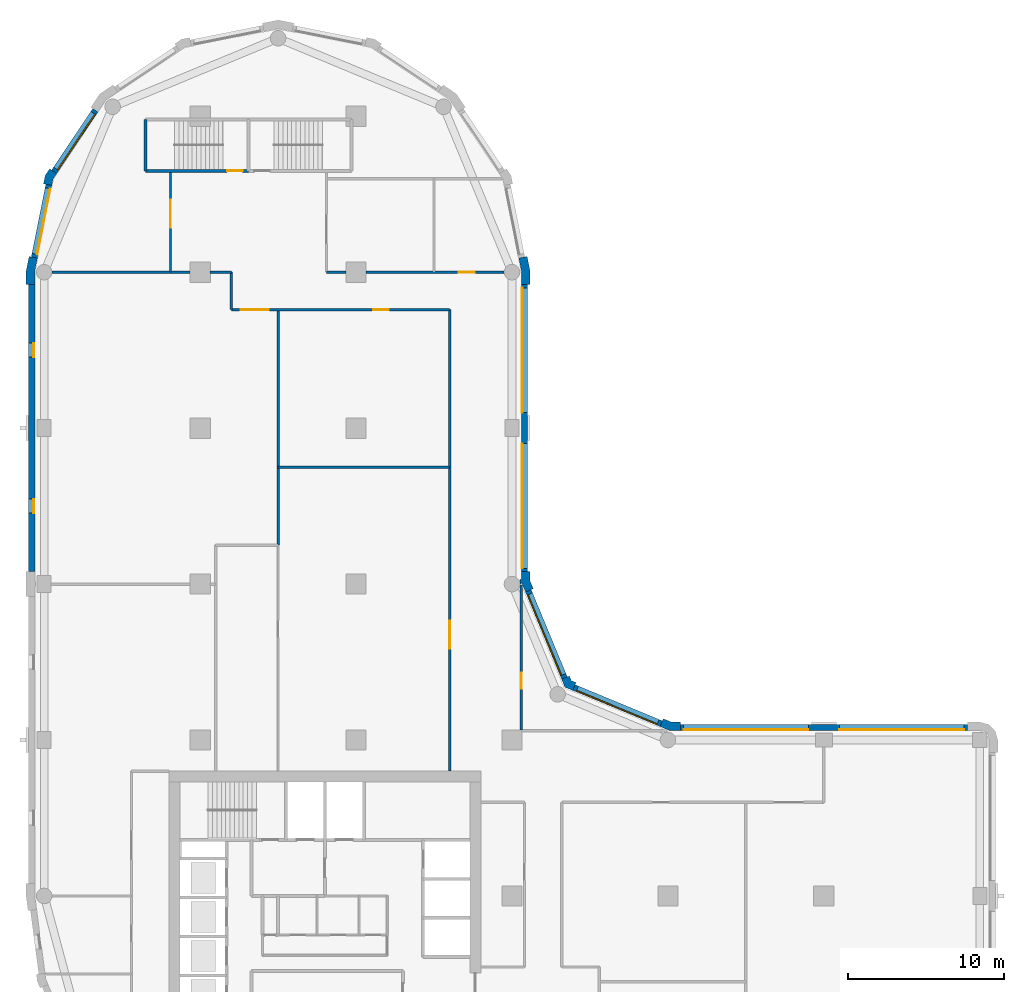
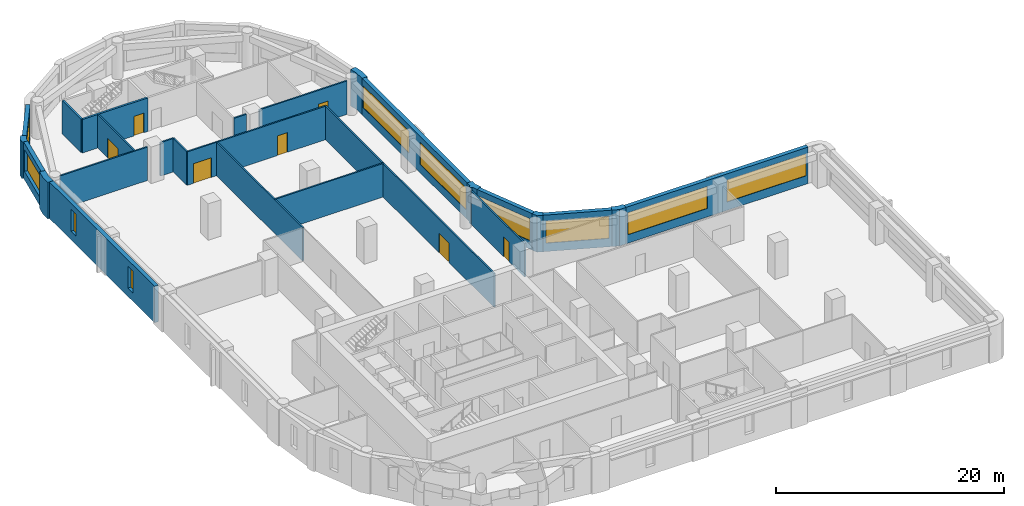
# One storey, part 5 of 9: 26 walls, 10 windows, 7 doors, 17 openings.
"""IFC4 building model written with IfcOpenShell, lengths in metres."""

from ifc_helpers import new_model, si_unit, direction, frame, frame_2d, origin, place, context, subcontext, project, spatial, polyline, rectangle, outline, extrude, material, layer, layer_set, type_object, element, fill, save


model = new_model("IFC4")

# Units and contexts
model_context = context("Model", 3, precision=1e-05, world=origin(), true_north=direction((0.0, 1.0)))
body_context = subcontext(model_context, "Body", "Model", "MODEL_VIEW")
ifc_project = project(units=[si_unit("LENGTHUNIT", "METRE"), si_unit("AREAUNIT", "SQUARE_METRE"), si_unit("VOLUMEUNIT", "CUBIC_METRE"), si_unit("PLANEANGLEUNIT", "RADIAN"), si_unit("MASSUNIT", "GRAM", prefix="KILO")], contexts=[model_context])

# Site, building, storey
site_placement = place(None, origin())
site = spatial("IfcSite", under=ifc_project, at=site_placement, CompositionType="ELEMENT")
building_placement = place(site_placement, origin())
building = spatial("IfcBuilding", under=site, at=building_placement, Name="Qaws Garden Tower", CompositionType="ELEMENT")
storey_placement = place(building_placement, frame((0.0, 0.0, 139.5)))
storey = spatial("IfcBuildingStorey", under=building, at=storey_placement, Name="L33", CompositionType="ELEMENT", Elevation=139.5)

# Wall, openings, windows
ifc_material_1 = material(Name="Clay facing brick masonry", Category="masonry")
ifc_layer_1 = layer(ifc_material_1, 0.39990234375)
ifc_layer_set_1 = layer_set([ifc_layer_1], Name="Clay facing brick masonry")
wall_type_1 = type_object("IfcWallType", Name="Brick infill wall 400", PredefinedType="SOLIDWALL", material=ifc_layer_set_1)
wall_1_placement = place(storey_placement, frame((59.199951171875, 30.800048828125, 0.0), z_axis=(0.0, 0.0, 1.0), x_axis=(-1.0, 0.0, 0.0)))
wall_1 = element("IfcWall", 1, at=wall_1_placement, inside=storey, type_object=wall_type_1, Name="E-L33-infill-07", PredefinedType="SOLIDWALL", context=body_context, shape_type="SweptSolid", body=[
    extrude(rectangle(XDim=18.39990234375, YDim=0.39990234375, at=frame_2d((9.199951171875, 0.0))), origin(), (0.0, 0.0, 1.0), 3.89990234375),
])
opening_1_placement = place(wall_1_placement, frame((0.199951171875, 0.0, 0.89990234375)))
opening_1 = element("IfcOpeningElement", 2, at=opening_1_placement, cuts=wall_1, Name="Opening W01", PredefinedType="OPENING", context=body_context, shape_type="SweptSolid", body=[
    extrude(rectangle(XDim=8.0, YDim=2.35009765625, at=frame_2d((4.0, 1.175048828125))), frame((0.0, 0.2099609375, 0.0), z_axis=(0.0, -1.0, 0.0), x_axis=(1.0, 0.0, 0.0)), (0.0, 0.0, 1.0), 0.419921875),
])
opening_2_placement = place(wall_1_placement, frame((10.199951171875, 0.0, 0.89990234375)))
opening_2 = element("IfcOpeningElement", 3, at=opening_2_placement, cuts=wall_1, Name="Opening W01", PredefinedType="OPENING", context=body_context, shape_type="SweptSolid", body=[
    extrude(rectangle(XDim=8.0, YDim=2.35009765625, at=frame_2d((4.0, 1.175048828125))), frame((0.0, 0.2099609375, 0.0), z_axis=(0.0, -1.0, 0.0), x_axis=(1.0, 0.0, 0.0)), (0.0, 0.0, 1.0), 0.419921875),
])
ifc_material_2 = material(Name="Aluminium framed window, clear glazing", Category="aluminium")
window_type_1 = type_object("IfcWindowType", Name="Ribbon window 8000 x 2350", PartitioningType="DOUBLE_PANEL_VERTICAL", PredefinedType="WINDOW", material=ifc_material_2)
window_1_placement = place(opening_1_placement, origin())
window_1 = element("IfcWindow", 4, at=window_1_placement, inside=storey, type_object=window_type_1, Name="E-L33-window-07-0", OverallHeight=2.35009765625, OverallWidth=8.0, PartitioningType="SINGLE_PANEL", PredefinedType="WINDOW", context=body_context, shape_type="SweptSolid", body=[
    extrude(rectangle(XDim=8.0, YDim=2.35009765625, at=frame_2d((4.0, 1.175048828125))), frame((0.0, 0.159912109375, 0.0), z_axis=(0.0, -1.0, 0.0), x_axis=(1.0, 0.0, 0.0)), (0.0, 0.0, 1.0), 0.06005859375),
])
fill(opening_1, window_1)
window_2_placement = place(opening_2_placement, origin())
window_2 = element("IfcWindow", 5, at=window_2_placement, inside=storey, type_object=window_type_1, Name="E-L33-window-08-0", OverallHeight=2.35009765625, OverallWidth=8.0, PartitioningType="SINGLE_PANEL", PredefinedType="WINDOW", context=body_context, shape_type="SweptSolid", body=[
    extrude(rectangle(XDim=8.0, YDim=2.35009765625, at=frame_2d((4.0, 1.175048828125))), frame((0.0, 0.159912109375, 0.0), z_axis=(0.0, -1.0, 0.0), x_axis=(1.0, 0.0, 0.0)), (0.0, 0.0, 1.0), 0.06005859375),
])
fill(opening_2, window_2)

# Wall, opening, window
wall_2_placement = place(storey_placement, frame((39.56689453125, 31.04541015625, 0.0), z_axis=(0.0, 0.0, 1.0), x_axis=(-0.923891000409, 0.382655745237, 0.0)))
wall_2 = element("IfcWall", 6, at=wall_2_placement, inside=storey, type_object=wall_type_1, Name="E-L33-infill-09", PredefinedType="SOLIDWALL", context=body_context, shape_type="SweptSolid", body=[
    extrude(rectangle(XDim=6.053466796875, YDim=0.39990234375, at=frame_2d((3.02685546875, 0.0))), origin(), (0.0, 0.0, 1.0), 3.89990234375),
])
opening_3_placement = place(wall_2_placement, frame((0.226806640625, 0.0, 0.89990234375)))
opening_3 = element("IfcOpeningElement", 7, at=opening_3_placement, cuts=wall_2, Name="Opening W04", PredefinedType="OPENING", context=body_context, shape_type="SweptSolid", body=[
    extrude(rectangle(XDim=5.60009765625, YDim=2.35009765625, at=frame_2d((2.800048828125, 1.175048828125))), frame((0.0, 0.2099609375, 0.0), z_axis=(0.0, -1.0, 0.0), x_axis=(1.0, 0.0, 0.0)), (0.0, 0.0, 1.0), 0.419921875),
])
ifc_material_3 = material(Name="Aluminium framed window, clear glazing", Category="aluminium")
window_type_2 = type_object("IfcWindowType", Name="Ribbon window 5600 x 2350", PartitioningType="DOUBLE_PANEL_VERTICAL", PredefinedType="WINDOW", material=ifc_material_3)
window_3_placement = place(opening_3_placement, origin())
window_3 = element("IfcWindow", 8, at=window_3_placement, inside=storey, type_object=window_type_2, Name="E-L33-window-09-0", OverallHeight=2.35009765625, OverallWidth=5.60009765625, PartitioningType="SINGLE_PANEL", PredefinedType="WINDOW", context=body_context, shape_type="SweptSolid", body=[
    extrude(rectangle(XDim=5.60009765625, YDim=2.35009765625, at=frame_2d((2.800048828125, 1.175048828125))), frame((0.0, 0.159912109375, 0.0), z_axis=(0.0, -1.0, 0.0), x_axis=(1.0, 0.0, 0.0)), (0.0, 0.0, 1.0), 0.06005859375),
])
fill(opening_3, window_3)

wall_3_placement = place(storey_placement, frame((33.36181640625, 33.97412109375, 0.0), z_axis=(0.0, 0.0, 1.0), x_axis=(-0.382655745237, 0.923891000409, 0.0)))
wall_3 = element("IfcWall", 9, at=wall_3_placement, inside=storey, type_object=wall_type_1, Name="E-L33-infill-10", PredefinedType="SOLIDWALL", context=body_context, shape_type="SweptSolid", body=[
    extrude(rectangle(XDim=6.053466796875, YDim=0.39990234375, at=frame_2d((3.02685546875, 0.0))), origin(), (0.0, 0.0, 1.0), 3.89990234375),
])
opening_4_placement = place(wall_3_placement, frame((0.226806640625, 0.0, 0.89990234375)))
opening_4 = element("IfcOpeningElement", 10, at=opening_4_placement, cuts=wall_3, Name="Opening W04", PredefinedType="OPENING", context=body_context, shape_type="SweptSolid", body=[
    extrude(rectangle(XDim=5.60009765625, YDim=2.35009765625, at=frame_2d((2.800048828125, 1.175048828125))), frame((0.0, 0.2099609375, 0.0), z_axis=(0.0, -1.0, 0.0), x_axis=(1.0, 0.0, 0.0)), (0.0, 0.0, 1.0), 0.419921875),
])
window_4_placement = place(opening_4_placement, origin())
window_4 = element("IfcWindow", 11, at=window_4_placement, inside=storey, type_object=window_type_2, Name="E-L33-window-10-0", OverallHeight=2.35009765625, OverallWidth=5.60009765625, PartitioningType="SINGLE_PANEL", PredefinedType="WINDOW", context=body_context, shape_type="SweptSolid", body=[
    extrude(rectangle(XDim=5.60009765625, YDim=2.35009765625, at=frame_2d((2.800048828125, 1.175048828125))), frame((0.0, 0.159912109375, 0.0), z_axis=(0.0, -1.0, 0.0), x_axis=(1.0, 0.0, 0.0)), (0.0, 0.0, 1.0), 0.06005859375),
])
fill(opening_4, window_4)

# Wall, openings, windows
wall_4_placement = place(storey_placement, frame((30.800048828125, 40.800048828125, 0.0), z_axis=(0.0, 0.0, 1.0), x_axis=(0.0, 1.0, 0.0)))
wall_4 = element("IfcWall", 12, at=wall_4_placement, inside=storey, type_object=wall_type_1, Name="E-L33-infill-11", PredefinedType="SOLIDWALL", context=body_context, shape_type="SweptSolid", body=[
    extrude(rectangle(XDim=18.39990234375, YDim=0.39990234375, at=frame_2d((9.199951171875, 0.0))), origin(), (0.0, 0.0, 1.0), 3.89990234375),
])
opening_5_placement = place(wall_4_placement, frame((0.199951171875, 0.0, 0.89990234375)))
opening_5 = element("IfcOpeningElement", 13, at=opening_5_placement, cuts=wall_4, Name="Opening W01", PredefinedType="OPENING", context=body_context, shape_type="SweptSolid", body=[
    extrude(rectangle(XDim=8.0, YDim=2.35009765625, at=frame_2d((4.0, 1.175048828125))), frame((0.0, 0.2099609375, 0.0), z_axis=(0.0, -1.0, 0.0), x_axis=(1.0, 0.0, 0.0)), (0.0, 0.0, 1.0), 0.419921875),
])
opening_6_placement = place(wall_4_placement, frame((10.199951171875, 0.0, 0.89990234375)))
opening_6 = element("IfcOpeningElement", 14, at=opening_6_placement, cuts=wall_4, Name="Opening W01", PredefinedType="OPENING", context=body_context, shape_type="SweptSolid", body=[
    extrude(rectangle(XDim=8.0, YDim=2.35009765625, at=frame_2d((4.0, 1.175048828125))), frame((0.0, 0.2099609375, 0.0), z_axis=(0.0, -1.0, 0.0), x_axis=(1.0, 0.0, 0.0)), (0.0, 0.0, 1.0), 0.419921875),
])
window_5_placement = place(opening_5_placement, origin())
window_5 = element("IfcWindow", 15, at=window_5_placement, inside=storey, type_object=window_type_1, Name="E-L33-window-11-0", OverallHeight=2.35009765625, OverallWidth=8.0, PartitioningType="SINGLE_PANEL", PredefinedType="WINDOW", context=body_context, shape_type="SweptSolid", body=[
    extrude(rectangle(XDim=8.0, YDim=2.35009765625, at=frame_2d((4.0, 1.175048828125))), frame((0.0, 0.159912109375, 0.0), z_axis=(0.0, -1.0, 0.0), x_axis=(1.0, 0.0, 0.0)), (0.0, 0.0, 1.0), 0.06005859375),
])
fill(opening_5, window_5)
window_6_placement = place(opening_6_placement, origin())
window_6 = element("IfcWindow", 16, at=window_6_placement, inside=storey, type_object=window_type_1, Name="E-L33-window-12-0", OverallHeight=2.35009765625, OverallWidth=8.0, PartitioningType="SINGLE_PANEL", PredefinedType="WINDOW", context=body_context, shape_type="SweptSolid", body=[
    extrude(rectangle(XDim=8.0, YDim=2.35009765625, at=frame_2d((4.0, 1.175048828125))), frame((0.0, 0.159912109375, 0.0), z_axis=(0.0, -1.0, 0.0), x_axis=(1.0, 0.0, 0.0)), (0.0, 0.0, 1.0), 0.06005859375),
])
fill(opening_6, window_6)

# Wall, opening, window
wall_5_placement = place(storey_placement, frame((3.28369140625, 70.385986328125, 0.0), z_axis=(0.0, 0.0, 1.0), x_axis=(-0.555541552266, -0.831488775454, 0.0)))
wall_5 = element("IfcWall", 17, at=wall_5_placement, inside=storey, type_object=wall_type_1, Name="E-L33-infill-19", PredefinedType="SOLIDWALL", context=body_context, shape_type="SweptSolid", body=[
    extrude(rectangle(XDim=4.752685546875, YDim=0.39990234375, at=frame_2d((2.37646484375, 0.0))), origin(), (0.0, 0.0, 1.0), 3.89990234375),
])
opening_7_placement = place(wall_5_placement, frame((0.226318359375, 0.0, 0.89990234375)))
opening_7 = element("IfcOpeningElement", 18, at=opening_7_placement, cuts=wall_5, Name="Opening W06", PredefinedType="OPENING", context=body_context, shape_type="SweptSolid", body=[
    extrude(rectangle(XDim=4.300048828125, YDim=2.35009765625, at=frame_2d((2.14990234375, 1.175048828125))), frame((0.0, 0.2099609375, 0.0), z_axis=(0.0, -1.0, 0.0), x_axis=(1.0, 0.0, 0.0)), (0.0, 0.0, 1.0), 0.419921875),
])
ifc_material_4 = material(Name="Aluminium framed window, clear glazing", Category="aluminium")
window_type_3 = type_object("IfcWindowType", Name="Ribbon window 4300 x 2350", PartitioningType="DOUBLE_PANEL_VERTICAL", PredefinedType="WINDOW", material=ifc_material_4)
window_7_placement = place(opening_7_placement, origin())
window_7 = element("IfcWindow", 19, at=window_7_placement, inside=storey, type_object=window_type_3, Name="E-L33-window-19-0", OverallHeight=2.35009765625, OverallWidth=4.300048828125, PartitioningType="SINGLE_PANEL", PredefinedType="WINDOW", context=body_context, shape_type="SweptSolid", body=[
    extrude(rectangle(XDim=4.300048828125, YDim=2.35009765625, at=frame_2d((2.14990234375, 1.175048828125))), frame((0.0, 0.159912109375, 0.0), z_axis=(0.0, -1.0, 0.0), x_axis=(1.0, 0.0, 0.0)), (0.0, 0.0, 1.0), 0.06005859375),
])
fill(opening_7, window_7)

wall_6_placement = place(storey_placement, frame((0.298583984375, 65.60205078125, 0.0), z_axis=(0.0, 0.0, 1.0), x_axis=(-0.195098533057, -0.98078364709, 0.0)))
wall_6 = element("IfcWall", 20, at=wall_6_placement, inside=storey, type_object=wall_type_1, Name="E-L33-infill-20", PredefinedType="SOLIDWALL", context=body_context, shape_type="SweptSolid", body=[
    extrude(rectangle(XDim=4.752685546875, YDim=0.39990234375, at=frame_2d((2.37646484375, 0.0))), origin(), (0.0, 0.0, 1.0), 3.89990234375),
])
opening_8_placement = place(wall_6_placement, frame((0.226318359375, 0.0, 0.89990234375)))
opening_8 = element("IfcOpeningElement", 21, at=opening_8_placement, cuts=wall_6, Name="Opening W06", PredefinedType="OPENING", context=body_context, shape_type="SweptSolid", body=[
    extrude(rectangle(XDim=4.300048828125, YDim=2.35009765625, at=frame_2d((2.14990234375, 1.175048828125))), frame((0.0, 0.2099609375, 0.0), z_axis=(0.0, -1.0, 0.0), x_axis=(1.0, 0.0, 0.0)), (0.0, 0.0, 1.0), 0.419921875),
])
window_8_placement = place(opening_8_placement, origin())
window_8 = element("IfcWindow", 22, at=window_8_placement, inside=storey, type_object=window_type_3, Name="E-L33-window-20-0", OverallHeight=2.35009765625, OverallWidth=4.300048828125, PartitioningType="SINGLE_PANEL", PredefinedType="WINDOW", context=body_context, shape_type="SweptSolid", body=[
    extrude(rectangle(XDim=4.300048828125, YDim=2.35009765625, at=frame_2d((2.14990234375, 1.175048828125))), frame((0.0, 0.159912109375, 0.0), z_axis=(0.0, -1.0, 0.0), x_axis=(1.0, 0.0, 0.0)), (0.0, 0.0, 1.0), 0.06005859375),
])
fill(opening_8, window_8)

# Wall, openings, windows
wall_7_placement = place(storey_placement, frame((-0.800048828125, 59.199951171875, 0.0), z_axis=(0.0, 0.0, 1.0), x_axis=(0.0, -1.0, 0.0)))
wall_7 = element("IfcWall", 23, at=wall_7_placement, inside=storey, type_object=wall_type_1, Name="E-L33-infill-21", PredefinedType="SOLIDWALL", context=body_context, shape_type="SweptSolid", body=[
    extrude(rectangle(XDim=18.39990234375, YDim=0.39990234375, at=frame_2d((9.199951171875, 0.0))), origin(), (0.0, 0.0, 1.0), 3.89990234375),
])
opening_9_placement = place(wall_7_placement, frame((3.75, 0.0, 0.89990234375)))
opening_9 = element("IfcOpeningElement", 24, at=opening_9_placement, cuts=wall_7, Name="Opening W09", PredefinedType="OPENING", context=body_context, shape_type="SweptSolid", body=[
    extrude(rectangle(XDim=0.89990234375, YDim=2.35009765625, at=frame_2d((0.449951171875, 1.175048828125))), frame((0.0, 0.2099609375, 0.0), z_axis=(0.0, -1.0, 0.0), x_axis=(1.0, 0.0, 0.0)), (0.0, 0.0, 1.0), 0.419921875),
])
opening_10_placement = place(wall_7_placement, frame((13.75, 0.0, 0.89990234375)))
opening_10 = element("IfcOpeningElement", 25, at=opening_10_placement, cuts=wall_7, Name="Opening W09", PredefinedType="OPENING", context=body_context, shape_type="SweptSolid", body=[
    extrude(rectangle(XDim=0.89990234375, YDim=2.35009765625, at=frame_2d((0.449951171875, 1.175048828125))), frame((0.0, 0.2099609375, 0.0), z_axis=(0.0, -1.0, 0.0), x_axis=(1.0, 0.0, 0.0)), (0.0, 0.0, 1.0), 0.419921875),
])
ifc_material_5 = material(Name="Aluminium framed window, clear glazing", Category="aluminium")
window_type_4 = type_object("IfcWindowType", Name="Slit window 900 x 2350", PartitioningType="SINGLE_PANEL", PredefinedType="WINDOW", material=ifc_material_5)
window_9_placement = place(opening_9_placement, origin())
window_9 = element("IfcWindow", 26, at=window_9_placement, inside=storey, type_object=window_type_4, Name="E-L33-window-21-0", OverallHeight=2.35009765625, OverallWidth=0.89990234375, PartitioningType="SINGLE_PANEL", PredefinedType="WINDOW", context=body_context, shape_type="SweptSolid", body=[
    extrude(rectangle(XDim=0.89990234375, YDim=2.35009765625, at=frame_2d((0.449951171875, 1.175048828125))), frame((0.0, 0.159912109375, 0.0), z_axis=(0.0, -1.0, 0.0), x_axis=(1.0, 0.0, 0.0)), (0.0, 0.0, 1.0), 0.06005859375),
])
fill(opening_9, window_9)
window_10_placement = place(opening_10_placement, origin())
window_10 = element("IfcWindow", 27, at=window_10_placement, inside=storey, type_object=window_type_4, Name="E-L33-window-22-0", OverallHeight=2.35009765625, OverallWidth=0.89990234375, PartitioningType="SINGLE_PANEL", PredefinedType="WINDOW", context=body_context, shape_type="SweptSolid", body=[
    extrude(rectangle(XDim=0.89990234375, YDim=2.35009765625, at=frame_2d((0.449951171875, 1.175048828125))), frame((0.0, 0.159912109375, 0.0), z_axis=(0.0, -1.0, 0.0), x_axis=(1.0, 0.0, 0.0)), (0.0, 0.0, 1.0), 0.06005859375),
])
fill(opening_10, window_10)

# Walls
ifc_material_6 = material(Name="Clay facing brick masonry", Category="masonry")
ifc_layer_2 = layer(ifc_material_6, 0.550048828125)
ifc_layer_set_2 = layer_set([ifc_layer_2], Name="Clay facing brick masonry")
wall_type_2 = type_object("IfcWallType", Name="Brick kink pier 550 x 600", PredefinedType="SOLIDWALL", material=ifc_layer_set_2)
placement = place(storey_placement, origin())
element("IfcWall", 28, at=placement, inside=storey, type_object=wall_type_2, Name="E-L33-pier-20", PredefinedType="SOLIDWALL", context=body_context, shape_type="SweptSolid", body=[
    extrude(outline(polyline([(0.47705078125, 66.545166015625), (0.352294921875, 66.628662109375), (0.05859375, 66.18896484375), (-0.044677734375, 65.67041015625), (0.1025390625, 65.64111328125), (0.494873046875, 65.56298828125), (0.57666015625, 65.974365234375), (0.8095703125, 66.322998046875), (0.47705078125, 66.545166015625)])), origin(), (0.0, 0.0, 1.0), 3.89990234375),
])
ifc_material_7 = material(Name="Clay facing brick masonry", Category="masonry")
ifc_layer_3 = layer(ifc_material_7, 0.550048828125)
ifc_layer_set_3 = layer_set([ifc_layer_3], Name="Clay facing brick masonry")
wall_type_3 = type_object("IfcWallType", Name="Brick pier 550 x 1600", PredefinedType="SOLIDWALL", material=ifc_layer_set_3)
element("IfcWall", 29, at=placement, inside=storey, type_object=wall_type_3, Name="E-L33-pier-09", PredefinedType="SOLIDWALL", context=body_context, shape_type="SweptSolid", body=[
    extrude(outline(polyline([(40.800048828125, 31.0), (40.800048828125, 31.14990234375), (40.228759765625, 31.14990234375), (39.700927734375, 31.36865234375), (39.6435546875, 31.22998046875), (39.490478515625, 30.860595703125), (40.119384765625, 30.60009765625), (40.800048828125, 30.60009765625), (40.800048828125, 31.0)])), origin(), (0.0, 0.0, 1.0), 3.89990234375),
])
element("IfcWall", 30, at=placement, inside=storey, type_object=wall_type_3, Name="E-L33-pier-10", PredefinedType="SOLIDWALL", context=body_context, shape_type="SweptSolid", body=[
    extrude(outline(polyline([(34.05078125, 33.546630859375), (34.108154296875, 33.685302734375), (33.80908203125, 33.80908203125), (33.685302734375, 34.108154296875), (33.546630859375, 34.05078125), (33.177001953125, 33.897705078125), (33.38818359375, 33.38818359375), (33.897705078125, 33.177001953125), (34.05078125, 33.546630859375)])), origin(), (0.0, 0.0, 1.0), 3.89990234375),
])
element("IfcWall", 31, at=placement, inside=storey, type_object=wall_type_3, Name="E-L33-pier-11", PredefinedType="SOLIDWALL", context=body_context, shape_type="SweptSolid", body=[
    extrude(outline(polyline([(30.6201171875, 39.995361328125), (30.6201171875, 40.071044921875), (30.860595703125, 39.490478515625), (31.22998046875, 39.6435546875), (31.36865234375, 39.700927734375), (31.14990234375, 40.228759765625), (31.14990234375, 40.800048828125), (31.0, 40.800048828125), (30.60009765625, 40.800048828125), (30.60009765625, 40.29541015625), (30.5, 40.29541015625), (30.5, 39.995361328125), (30.6201171875, 39.995361328125)])), origin(), (0.0, 0.0, 1.0), 3.89990234375),
])
element("IfcWall", 32, at=placement, inside=storey, type_object=wall_type_3, Name="E-L33-pier-13", PredefinedType="SOLIDWALL", context=body_context, shape_type="SweptSolid", body=[
    extrude(outline(polyline([(31.0, 59.199951171875), (31.14990234375, 59.199951171875), (31.14990234375, 60.11328125), (30.971923828125, 61.009033203125), (30.82470703125, 60.979736328125), (30.432373046875, 60.901611328125), (30.60009765625, 60.05908203125), (30.60009765625, 59.199951171875), (31.0, 59.199951171875)])), origin(), (0.0, 0.0, 1.0), 3.89990234375),
])
element("IfcWall", 33, at=placement, inside=storey, type_object=wall_type_3, Name="E-L33-pier-21", PredefinedType="SOLIDWALL", context=body_context, shape_type="SweptSolid", body=[
    extrude(outline(polyline([(-0.82470703125, 60.979736328125), (-0.971923828125, 61.009033203125), (-1.14990234375, 60.11328125), (-1.14990234375, 59.199951171875), (-1.0, 59.199951171875), (-0.60009765625, 59.199951171875), (-0.60009765625, 60.05908203125), (-0.432373046875, 60.901611328125), (-0.82470703125, 60.979736328125)])), origin(), (0.0, 0.0, 1.0), 3.89990234375),
])

# Wall, opening, door
ifc_material_8 = material(Name="Concrete C70", Category="concrete")
ifc_layer_4 = layer(ifc_material_8, 0.199951171875)
ifc_layer_set_4 = layer_set([ifc_layer_4], Name="Concrete C70")
wall_type_4 = type_object("IfcWallType", Name="Core shaft wall 200 C70", PredefinedType="SHEAR", material=ifc_layer_set_4)
wall_14_placement = place(storey_placement, frame((6.5, 66.5, 0.0), z_axis=(0.0, 0.0, 1.0), x_axis=(1.0, 0.0, 0.0)))
wall_14 = element("IfcWall", 34, at=wall_14_placement, inside=storey, type_object=wall_type_4, Name="Shaft wall", PredefinedType="SHEAR", context=body_context, shape_type="SweptSolid", body=[
    extrude(rectangle(XDim=6.60009765625, YDim=0.199951171875, at=frame_2d((3.300048828125, 0.0))), origin(), (0.0, 0.0, 1.0), 3.580078125),
])
opening_11_placement = place(wall_14_placement, frame((5.22509765625, 0.0, 0.0)))
opening_11 = element("IfcOpeningElement", 35, at=opening_11_placement, cuts=wall_14, Name="Opening SD13", PredefinedType="OPENING", context=body_context, shape_type="SweptSolid", body=[
    extrude(rectangle(XDim=1.0, YDim=2.10009765625, at=frame_2d((0.5, 1.050048828125))), frame((0.0, 0.10986328125, 0.0), z_axis=(0.0, -1.0, 0.0), x_axis=(1.0, 0.0, 0.0)), (0.0, 0.0, 1.0), 0.219970703125),
])
ifc_material_9 = material(Name="Steel S235", Category="steel")
door_type_1 = type_object("IfcDoorType", Name="Stair door 1000x2100", OperationType="SINGLE_SWING_RIGHT", PredefinedType="DOOR", material=ifc_material_9)
door_1_placement = place(opening_11_placement, origin())
door_1 = element("IfcDoor", 36, at=door_1_placement, inside=storey, type_object=door_type_1, Name="Stair 6 door", OperationType="SINGLE_SWING_RIGHT", OverallHeight=2.10009765625, OverallWidth=1.0, PredefinedType="DOOR", context=body_context, shape_type="SweptSolid", body=[
    extrude(rectangle(XDim=1.0, YDim=2.10009765625, at=frame_2d((0.5, 1.050048828125))), frame((0.0, 0.02490234375, 0.0), z_axis=(0.0, -1.0, 0.0), x_axis=(1.0, 0.0, 0.0)), (0.0, 0.0, 1.0), 0.050048828125),
])
fill(opening_11, door_1)

# Wall
wall_15_placement = place(storey_placement, frame((6.5, 66.5, 0.0), z_axis=(0.0, 0.0, 1.0), x_axis=(0.0, 1.0, 0.0)))
element("IfcWall", 37, at=wall_15_placement, inside=storey, type_object=wall_type_4, Name="Shaft wall", PredefinedType="SHEAR", context=body_context, shape_type="SweptSolid", body=[
    extrude(rectangle(XDim=3.300048828125, YDim=0.199951171875, at=frame_2d((1.64990234375, 0.0))), origin(), (0.0, 0.0, 1.0), 3.580078125),
])

# Wall, opening, door
ifc_material_10 = material(Name="Gypsum board partition")
ifc_layer_5 = layer(ifc_material_10, 0.14990234375)
ifc_layer_set_5 = layer_set([ifc_layer_5], Name="Gypsum board partition")
wall_type_5 = type_object("IfcWallType", Name="PARTITION 150 EI 60", PredefinedType="PARTITIONING", material=ifc_layer_set_5)
wall_16_placement = place(storey_placement, frame((8.10009765625, 60.0, 0.0), z_axis=(0.0, 0.0, 1.0), x_axis=(0.0, 1.0, 0.0)))
wall_16 = element("IfcWall", 38, at=wall_16_placement, inside=storey, type_object=wall_type_5, Name="O-L33-wall-005", PredefinedType="PARTITIONING", context=body_context, shape_type="SweptSolid", body=[
    extrude(rectangle(XDim=6.39990234375, YDim=0.14990234375, at=frame_2d((3.199951171875, 0.0))), origin(), (0.0, 0.0, 1.0), 3.580078125),
])
opening_12_placement = place(wall_16_placement, frame((2.85009765625, 0.0, 0.0)))
opening_12 = element("IfcOpeningElement", 39, at=opening_12_placement, cuts=wall_16, Name="Opening B107", PredefinedType="OPENING", context=body_context, shape_type="SweptSolid", body=[
    extrude(rectangle(XDim=1.800048828125, YDim=2.10009765625, at=frame_2d((0.89990234375, 1.050048828125))), frame((0.0, 0.0849609375, 0.0), z_axis=(0.0, -1.0, 0.0), x_axis=(1.0, 0.0, 0.0)), (0.0, 0.0, 1.0), 0.169921875),
])
ifc_material_11 = material(Name="Timber door leaf", Category="wood")
door_type_2 = type_object("IfcDoorType", Name="DOUBLE DOOR 1800 X 2100", OperationType="DOUBLE_DOOR_SINGLE_SWING", PredefinedType="DOOR", material=ifc_material_11)
door_2_placement = place(opening_12_placement, origin())
door_2 = element("IfcDoor", 40, at=door_2_placement, inside=storey, type_object=door_type_2, Name="O-L33-door-007", OperationType="DOUBLE_DOOR_SINGLE_SWING", OverallHeight=2.10009765625, OverallWidth=1.800048828125, PredefinedType="DOOR", context=body_context, shape_type="SweptSolid", body=[
    extrude(rectangle(XDim=1.800048828125, YDim=2.10009765625, at=frame_2d((0.89990234375, 1.050048828125))), frame((0.0, 0.02490234375, 0.0), z_axis=(0.0, -1.0, 0.0), x_axis=(1.0, 0.0, 0.0)), (0.0, 0.0, 1.0), 0.050048828125),
])
fill(opening_12, door_2)

# Walls
wall_17_placement = place(storey_placement, frame((12.0, 57.60009765625, 0.0), z_axis=(0.0, 0.0, 1.0), x_axis=(0.0, 1.0, 0.0)))
element("IfcWall", 41, at=wall_17_placement, inside=storey, type_object=wall_type_5, Name="O-L33-wall-007", PredefinedType="PARTITIONING", context=body_context, shape_type="SweptSolid", body=[
    extrude(rectangle(XDim=2.39990234375, YDim=0.14990234375, at=frame_2d((1.199951171875, 0.0))), origin(), (0.0, 0.0, 1.0), 3.580078125),
])
wall_18_placement = place(storey_placement, frame((15.0, 42.5, 0.0), z_axis=(0.0, 0.0, 1.0), x_axis=(0.0, 1.0, 0.0)))
element("IfcWall", 42, at=wall_18_placement, inside=storey, type_object=wall_type_5, Name="O-L33-wall-009", PredefinedType="PARTITIONING", context=body_context, shape_type="SweptSolid", body=[
    extrude(rectangle(XDim=15.10009765625, YDim=0.14990234375, at=frame_2d((7.550048828125, 0.0))), origin(), (0.0, 0.0, 1.0), 3.580078125),
])

# Wall, opening, door
wall_19_placement = place(storey_placement, frame((26.0, 28.0, 0.0), z_axis=(0.0, 0.0, 1.0), x_axis=(0.0, 1.0, 0.0)))
wall_19 = element("IfcWall", 43, at=wall_19_placement, inside=storey, type_object=wall_type_5, Name="O-L33-wall-013", PredefinedType="PARTITIONING", context=body_context, shape_type="SweptSolid", body=[
    extrude(rectangle(XDim=29.60009765625, YDim=0.14990234375, at=frame_2d((14.800048828125, 0.0))), origin(), (0.0, 0.0, 1.0), 3.580078125),
])
opening_13_placement = place(wall_19_placement, frame((7.85009765625, 0.0, 0.0)))
opening_13 = element("IfcOpeningElement", 44, at=opening_13_placement, cuts=wall_19, Name="Opening B103", PredefinedType="OPENING", context=body_context, shape_type="SweptSolid", body=[
    extrude(rectangle(XDim=1.800048828125, YDim=2.10009765625, at=frame_2d((0.89990234375, 1.050048828125))), frame((0.0, 0.0849609375, 0.0), z_axis=(0.0, -1.0, 0.0), x_axis=(1.0, 0.0, 0.0)), (0.0, 0.0, 1.0), 0.169921875),
])
door_3_placement = place(opening_13_placement, origin())
door_3 = element("IfcDoor", 45, at=door_3_placement, inside=storey, type_object=door_type_2, Name="O-L33-door-003", OperationType="DOUBLE_DOOR_SINGLE_SWING", OverallHeight=2.10009765625, OverallWidth=1.800048828125, PredefinedType="DOOR", context=body_context, shape_type="SweptSolid", body=[
    extrude(rectangle(XDim=1.800048828125, YDim=2.10009765625, at=frame_2d((0.89990234375, 1.050048828125))), frame((0.0, 0.02490234375, 0.0), z_axis=(0.0, -1.0, 0.0), x_axis=(1.0, 0.0, 0.0)), (0.0, 0.0, 1.0), 0.050048828125),
])
fill(opening_13, door_3)

wall_20_placement = place(storey_placement, frame((30.60009765625, 30.64990234375, 0.0), z_axis=(0.0, 0.0, 1.0), x_axis=(0.0, 1.0, 0.0)))
wall_20 = element("IfcWall", 46, at=wall_20_placement, inside=storey, type_object=wall_type_5, Name="O-L33-wall-014", PredefinedType="PARTITIONING", context=body_context, shape_type="SweptSolid", body=[
    extrude(rectangle(XDim=9.288330078125, YDim=0.14990234375, at=frame_2d((4.64404296875, 0.0))), origin(), (0.0, 0.0, 1.0), 3.580078125),
])
opening_14_placement = place(wall_20_placement, frame((2.64990234375, 0.0, 0.0)))
opening_14 = element("IfcOpeningElement", 47, at=opening_14_placement, cuts=wall_20, Name="Opening B110", PredefinedType="OPENING", context=body_context, shape_type="SweptSolid", body=[
    extrude(rectangle(XDim=1.0, YDim=2.10009765625, at=frame_2d((0.5, 1.050048828125))), frame((0.0, 0.0849609375, 0.0), z_axis=(0.0, -1.0, 0.0), x_axis=(1.0, 0.0, 0.0)), (0.0, 0.0, 1.0), 0.169921875),
])
ifc_material_12 = material(Name="Timber door leaf", Category="wood")
door_type_3 = type_object("IfcDoorType", Name="TENANCY ENTRANCE DOOR 1000 X 2100", OperationType="SINGLE_SWING_LEFT", PredefinedType="DOOR", material=ifc_material_12)
door_4_placement = place(opening_14_placement, frame((1.0, 0.0, 0.0), z_axis=(0.0, 0.0, 1.0), x_axis=(-1.0, 0.0, 0.0)))
door_4 = element("IfcDoor", 48, at=door_4_placement, inside=storey, type_object=door_type_3, Name="O-L33-door-010", OperationType="SINGLE_SWING_LEFT", OverallHeight=2.10009765625, OverallWidth=1.0, PredefinedType="DOOR", context=body_context, shape_type="SweptSolid", body=[
    extrude(rectangle(XDim=1.0, YDim=2.10009765625, at=frame_2d((0.5, 1.050048828125))), frame((0.0, 0.02490234375, 0.0), z_axis=(0.0, -1.0, 0.0), x_axis=(1.0, 0.0, 0.0)), (0.0, 0.0, 1.0), 0.050048828125),
])
fill(opening_14, door_4)

# Wall
wall_21_placement = place(storey_placement, frame((15.0, 47.5, 0.0), z_axis=(0.0, 0.0, 1.0), x_axis=(1.0, 0.0, 0.0)))
element("IfcWall", 49, at=wall_21_placement, inside=storey, type_object=wall_type_5, Name="O-L33-wall-043", PredefinedType="PARTITIONING", context=body_context, shape_type="SweptSolid", body=[
    extrude(rectangle(XDim=11.0, YDim=0.14990234375, at=frame_2d((5.5, 0.0))), origin(), (0.0, 0.0, 1.0), 3.580078125),
])

# Wall, openings, doors
wall_22_placement = place(storey_placement, frame((12.0, 57.60009765625, 0.0), z_axis=(0.0, 0.0, 1.0), x_axis=(1.0, 0.0, 0.0)))
wall_22 = element("IfcWall", 50, at=wall_22_placement, inside=storey, type_object=wall_type_5, Name="O-L33-wall-044", PredefinedType="PARTITIONING", context=body_context, shape_type="SweptSolid", body=[
    extrude(rectangle(XDim=14.0, YDim=0.14990234375, at=frame_2d((7.0, 0.0))), origin(), (0.0, 0.0, 1.0), 3.580078125),
])
opening_15_placement = place(wall_22_placement, frame((9.10009765625, 0.0, 0.0)))
opening_15 = element("IfcOpeningElement", 51, at=opening_15_placement, cuts=wall_22, Name="Opening B104", PredefinedType="OPENING", context=body_context, shape_type="SweptSolid", body=[
    extrude(rectangle(XDim=1.0, YDim=2.10009765625, at=frame_2d((0.5, 1.050048828125))), frame((0.0, 0.0849609375, 0.0), z_axis=(0.0, -1.0, 0.0), x_axis=(1.0, 0.0, 0.0)), (0.0, 0.0, 1.0), 0.169921875),
])
opening_16_placement = place(wall_22_placement, frame((0.60009765625, 0.0, 0.0)))
opening_16 = element("IfcOpeningElement", 52, at=opening_16_placement, cuts=wall_22, Name="Opening B105", PredefinedType="OPENING", context=body_context, shape_type="SweptSolid", body=[
    extrude(rectangle(XDim=1.800048828125, YDim=2.10009765625, at=frame_2d((0.89990234375, 1.050048828125))), frame((0.0, 0.0849609375, 0.0), z_axis=(0.0, -1.0, 0.0), x_axis=(1.0, 0.0, 0.0)), (0.0, 0.0, 1.0), 0.169921875),
])
door_5_placement = place(opening_16_placement, frame((1.800048828125, 0.0, 0.0), z_axis=(0.0, 0.0, 1.0), x_axis=(-1.0, 0.0, 0.0)))
door_5 = element("IfcDoor", 53, at=door_5_placement, inside=storey, type_object=door_type_2, Name="O-L33-door-005", OperationType="DOUBLE_DOOR_SINGLE_SWING", OverallHeight=2.10009765625, OverallWidth=1.800048828125, PredefinedType="DOOR", context=body_context, shape_type="SweptSolid", body=[
    extrude(rectangle(XDim=1.800048828125, YDim=2.10009765625, at=frame_2d((0.89990234375, 1.050048828125))), frame((0.0, 0.02490234375, 0.0), z_axis=(0.0, -1.0, 0.0), x_axis=(1.0, 0.0, 0.0)), (0.0, 0.0, 1.0), 0.050048828125),
])
fill(opening_16, door_5)
door_6_placement = place(opening_15_placement, frame((1.0, 0.0, 0.0), z_axis=(0.0, 0.0, 1.0), x_axis=(-1.0, 0.0, 0.0)))
door_6 = element("IfcDoor", 54, at=door_6_placement, inside=storey, type_object=door_type_3, Name="O-L33-door-004", OperationType="SINGLE_SWING_LEFT", OverallHeight=2.10009765625, OverallWidth=1.0, PredefinedType="DOOR", context=body_context, shape_type="SweptSolid", body=[
    extrude(rectangle(XDim=1.0, YDim=2.10009765625, at=frame_2d((0.5, 1.050048828125))), frame((0.0, 0.02490234375, 0.0), z_axis=(0.0, -1.0, 0.0), x_axis=(1.0, 0.0, 0.0)), (0.0, 0.0, 1.0), 0.050048828125),
])
fill(opening_15, door_6)

# Walls
wall_23_placement = place(storey_placement, frame((0.5, 60.0, 0.0), z_axis=(0.0, 0.0, 1.0), x_axis=(1.0, 0.0, 0.0)))
element("IfcWall", 55, at=wall_23_placement, inside=storey, type_object=wall_type_5, Name="O-L33-wall-045", PredefinedType="PARTITIONING", context=body_context, shape_type="SweptSolid", body=[
    extrude(rectangle(XDim=8.85009765625, YDim=0.14990234375, at=frame_2d((4.425048828125, 0.0))), origin(), (0.0, 0.0, 1.0), 3.580078125),
])
wall_24_placement = place(storey_placement, frame((10.64990234375, 60.0, 0.0), z_axis=(0.0, 0.0, 1.0), x_axis=(1.0, 0.0, 0.0)))
element("IfcWall", 56, at=wall_24_placement, inside=storey, type_object=wall_type_5, Name="O-L33-wall-046", PredefinedType="PARTITIONING", context=body_context, shape_type="SweptSolid", body=[
    extrude(rectangle(XDim=1.35009765625, YDim=0.14990234375, at=frame_2d((0.675048828125, 0.0))), origin(), (0.0, 0.0, 1.0), 3.580078125),
])
wall_25_placement = place(storey_placement, frame((18.10009765625, 60.0, 0.0), z_axis=(0.0, 0.0, 1.0), x_axis=(1.0, 0.0, 0.0)))
element("IfcWall", 57, at=wall_25_placement, inside=storey, type_object=wall_type_5, Name="O-L33-wall-047", PredefinedType="PARTITIONING", context=body_context, shape_type="SweptSolid", body=[
    extrude(rectangle(XDim=1.25, YDim=0.14990234375, at=frame_2d((0.625, 0.0))), origin(), (0.0, 0.0, 1.0), 3.580078125),
])

# Wall, opening, door
wall_26_placement = place(storey_placement, frame((20.64990234375, 60.0, 0.0), z_axis=(0.0, 0.0, 1.0), x_axis=(1.0, 0.0, 0.0)))
wall_26 = element("IfcWall", 58, at=wall_26_placement, inside=storey, type_object=wall_type_5, Name="O-L33-wall-048", PredefinedType="PARTITIONING", context=body_context, shape_type="SweptSolid", body=[
    extrude(rectangle(XDim=8.85009765625, YDim=0.14990234375, at=frame_2d((4.425048828125, 0.0))), origin(), (0.0, 0.0, 1.0), 3.580078125),
])
opening_17_placement = place(wall_26_placement, frame((5.949951171875, 0.0, 0.0)))
opening_17 = element("IfcOpeningElement", 59, at=opening_17_placement, cuts=wall_26, Name="Opening B109", PredefinedType="OPENING", context=body_context, shape_type="SweptSolid", body=[
    extrude(rectangle(XDim=1.0, YDim=2.10009765625, at=frame_2d((0.5, 1.050048828125))), frame((0.0, 0.0849609375, 0.0), z_axis=(0.0, -1.0, 0.0), x_axis=(1.0, 0.0, 0.0)), (0.0, 0.0, 1.0), 0.169921875),
])
door_7_placement = place(opening_17_placement, origin())
door_7 = element("IfcDoor", 60, at=door_7_placement, inside=storey, type_object=door_type_3, Name="O-L33-door-009", OperationType="SINGLE_SWING_RIGHT", OverallHeight=2.10009765625, OverallWidth=1.0, PredefinedType="DOOR", context=body_context, shape_type="SweptSolid", body=[
    extrude(rectangle(XDim=1.0, YDim=2.10009765625, at=frame_2d((0.5, 1.050048828125))), frame((0.0, 0.02490234375, 0.0), z_axis=(0.0, -1.0, 0.0), x_axis=(1.0, 0.0, 0.0)), (0.0, 0.0, 1.0), 0.050048828125),
])
fill(opening_17, door_7)

save(model, "model.ifc")
